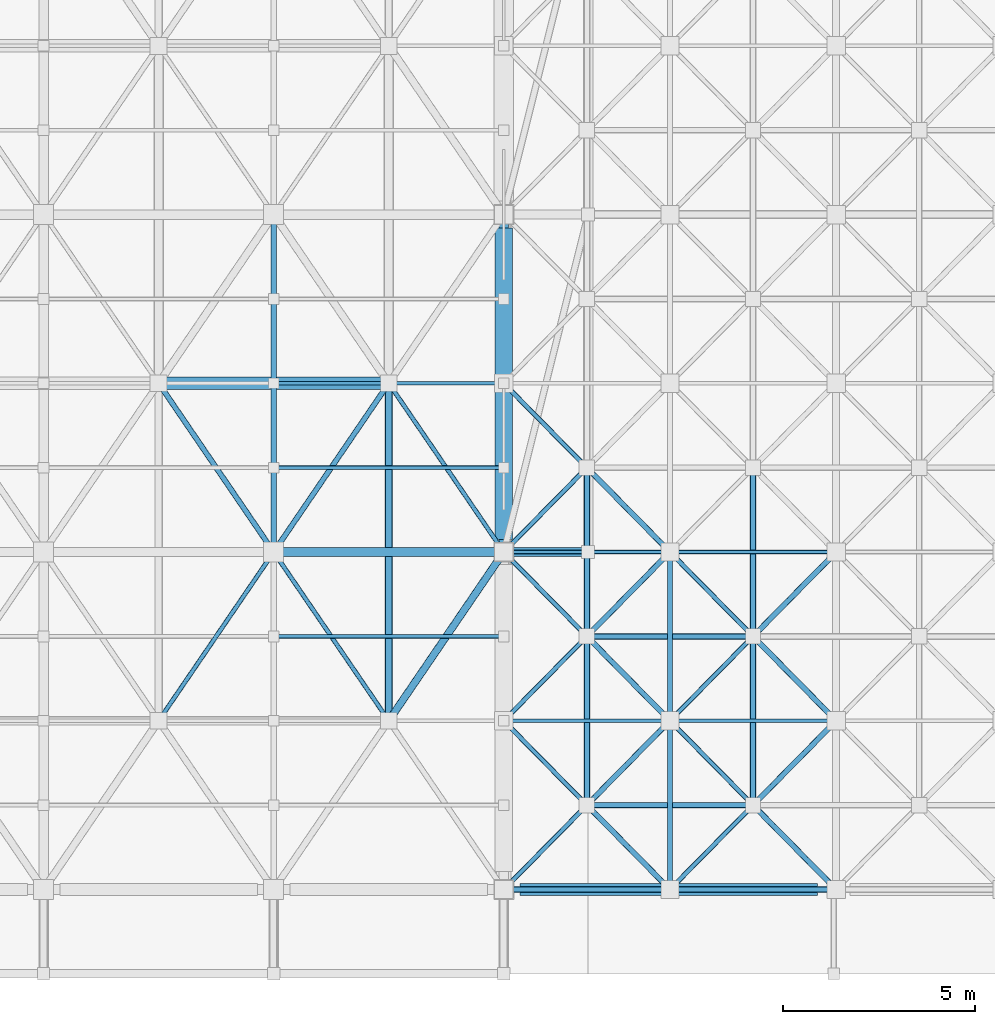
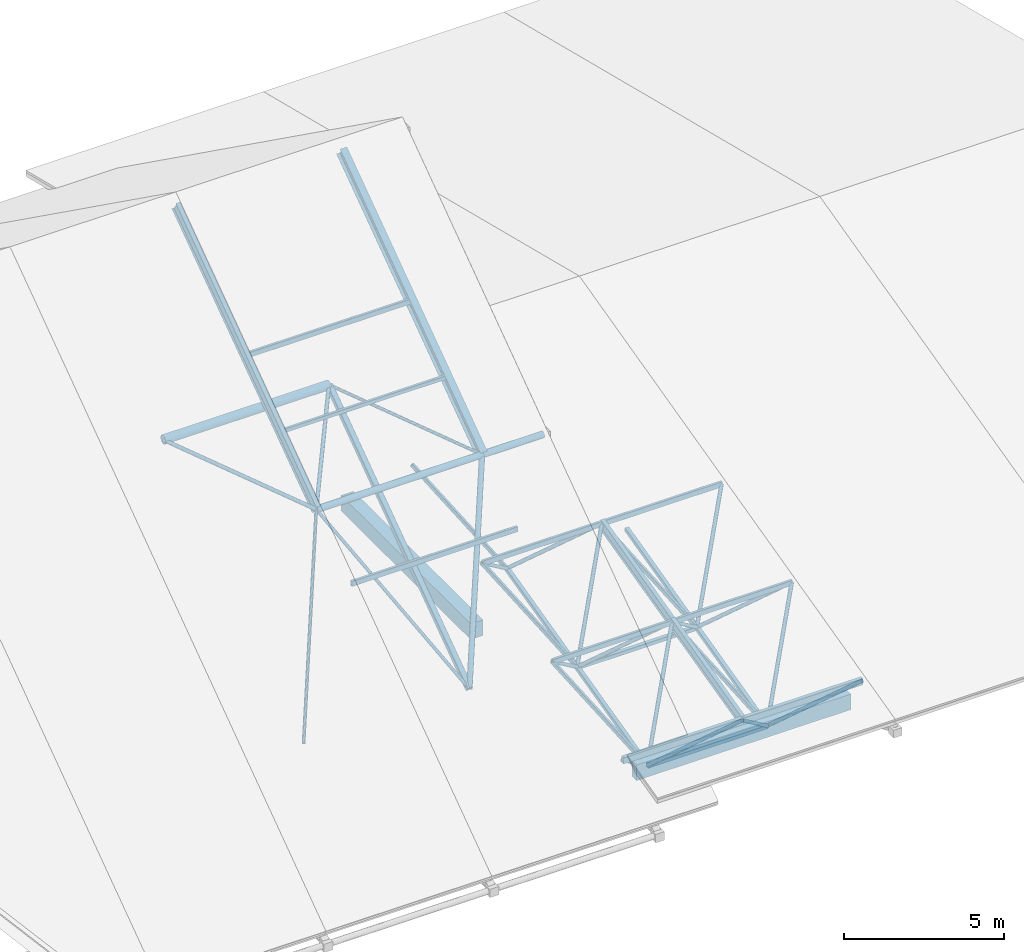
# One storey, part 25 of 55: 48 members, 2 beams.
"""IFC4 building model written with IfcOpenShell, lengths in metres."""

from ifc_helpers import new_model, si_unit, direction, frame, origin, origin_2d, place, context, subcontext, project, spatial, rectangle, hollow_rectangle, hollow_circle, i_section, extrude, material, material_profile, profile_set, type_object, element, save


model = new_model("IFC4")

# Units and contexts
model_context = context("Model", 3, precision=1e-05, world=origin(), true_north=direction((0.0, 1.0)))
body_context = subcontext(model_context, "Body", "Model", "MODEL_VIEW")
ifc_project = project(units=[si_unit("LENGTHUNIT", "METRE"), si_unit("AREAUNIT", "SQUARE_METRE"), si_unit("VOLUMEUNIT", "CUBIC_METRE"), si_unit("PLANEANGLEUNIT", "RADIAN"), si_unit("MASSUNIT", "GRAM", prefix="KILO")], contexts=[model_context])

# Site, building, storey
site_placement = place(None, origin())
site = spatial("IfcSite", under=ifc_project, at=site_placement, CompositionType="ELEMENT")
building_placement = place(site_placement, origin())
building = spatial("IfcBuilding", under=site, at=building_placement, Name="Varnakota Cinema and Media Centre", CompositionType="ELEMENT")
storey_placement = place(building_placement, frame((0.0, 0.0, 15.60009765625)))
storey = spatial("IfcBuildingStorey", under=building, at=storey_placement, Name="L04", CompositionType="ELEMENT", Elevation=15.60009765625)

# Beams
ifc_material_1 = material(Name="Concrete M35", Category="concrete")
ifc_material_profile_1 = material_profile(ifc_material_1, rectangle(XDim=0.449951171875, YDim=0.60009765625, at=origin_2d()), Name="RCB 450x600")
ifc_profile_set_1 = profile_set([ifc_material_profile_1], Name="Concrete M35")
beam_type_1 = type_object("IfcBeamType", Name="BM-RC-450x600", PredefinedType="BEAM", material=ifc_profile_set_1)
beam_1_placement = place(storey_placement, frame((135.0, 9.125, -0.300048828125), z_axis=(0.0, 1.0, 0.0), x_axis=(-1.0, 0.0, 0.0)))
element("IfcBeam", 1, at=beam_1_placement, inside=storey, type_object=beam_type_1, Name="L04 girder V/2-3", PredefinedType="BEAM", context=body_context, shape_type="SweptSolid", body=[
    extrude(rectangle(XDim=0.449951171875, YDim=0.60009765625, at=origin_2d()), origin(), (0.0, 0.0, 1.0), 8.125),
])
ifc_material_2 = material(Name="Concrete M35", Category="concrete")
ifc_material_profile_2 = material_profile(ifc_material_2, rectangle(XDim=0.300048828125, YDim=0.60009765625, at=origin_2d()), Name="RCB 300x600")
ifc_profile_set_2 = profile_set([ifc_material_profile_2], Name="Concrete M35")
beam_type_2 = type_object("IfcBeamType", Name="BM-SP-300x600", PredefinedType="SPANDREL", material=ifc_profile_set_2)
beam_2_placement = place(storey_placement, frame((135.425048828125, 0.0, -0.300048828125), z_axis=(1.0, 0.0, 0.0), x_axis=(0.0, 1.0, 0.0)))
element("IfcBeam", 2, at=beam_2_placement, inside=storey, type_object=beam_type_2, Name="L04 girder V-W/1", PredefinedType="SPANDREL", context=body_context, shape_type="SweptSolid", body=[
    extrude(rectangle(XDim=0.300048828125, YDim=0.60009765625, at=origin_2d()), origin(), (0.0, 0.0, 1.0), 7.75),
])

# Members
ifc_material_3 = material(Name="Structural steel S355 (YSt 355)", Category="steel")
ifc_material_profile_3 = material_profile(ifc_material_3, hollow_circle(Radius=0.05712890625, WallThickness=0.00537109375, at=origin_2d()), Name="CHS 114.3x5.4")
ifc_profile_set_3 = profile_set([ifc_material_profile_3], Name="Structural steel S355 (YSt 355)")
member_type_1 = type_object("IfcMemberType", Name="MEM-ST-CHS114_3x5_4", PredefinedType="BRACE", material=ifc_profile_set_3)
for number, where, z_axis, x_axis, name in (
    (3, (126.0, 4.39990234375, 1.349853515625), (0.40116493033, 0.588394819283, 0.702038628078), (-0.826236071711, 0.563324022037, 0.0), "V1 space-frame diagonal 9.1.4"),
    (4, (132.0, 4.39990234375, 1.349853515625), (-0.40116493033, 0.588394819283, 0.702038628078), (-0.826236071711, -0.563324022037, 0.0), "V1 space-frame diagonal 10.1.3"),
):
    element("IfcMember", number, at=place(storey_placement, frame(where, z_axis=z_axis, x_axis=x_axis)), inside=storey, type_object=member_type_1, Name=name, PredefinedType="BRACE", context=body_context, shape_type="SweptSolid", body=[
        extrude(hollow_circle(Radius=0.05712890625, WallThickness=0.00537109375, at=origin_2d()), origin(), (0.0, 0.0, 1.0), 7.478271484375),
    ])
member_1_placement = place(storey_placement, frame((132.0, 13.199951171875, 7.64990234375), z_axis=(0.552703271274, -0.810613472892, -0.193455140767), x_axis=(0.826221523208, 0.563345359959, 0.0)))
element("IfcMember", 5, at=member_1_placement, inside=storey, type_object=member_type_1, Name="V1 space-frame diagonal 10.2.2", PredefinedType="BRACE", context=body_context, shape_type="SweptSolid", body=[
    extrude(hollow_circle(Radius=0.05712890625, WallThickness=0.00537109375, at=origin_2d()), origin(), (0.0, 0.0, 1.0), 5.427978515625),
])
ifc_material_4 = material(Name="Structural steel S355 (YSt 355)", Category="steel")
ifc_material_profile_4 = material_profile(ifc_material_4, hollow_circle(Radius=0.06982421875, WallThickness=0.006103515625, at=origin_2d()), Name="CHS 139.7x6.0")
ifc_profile_set_4 = profile_set([ifc_material_profile_4], Name="Structural steel S355 (YSt 355)")
member_type_2 = type_object("IfcMemberType", Name="MEM-ST-CHS139_7x6_0", PredefinedType="CHORD", material=ifc_profile_set_4)
for number, where, z_axis, x_axis, name in (
    (6, (126.0, 13.199951171875, 7.64990234375), (0.552703271274, -0.810613472892, -0.193455140767), (0.826221523208, 0.563345359959, 0.0), "V1 space-frame diagonal 9.2.2"),
    (7, (132.0, 13.199951171875, 7.64990234375), (-0.552703271274, -0.810613472892, -0.193455140767), (0.826221523208, -0.563345359959, 0.0), "V1 space-frame diagonal 10.2.1"),
):
    element("IfcMember", number, at=place(storey_placement, frame(where, z_axis=z_axis, x_axis=x_axis)), inside=storey, type_object=member_type_2, Name=name, PredefinedType="CHORD", context=body_context, shape_type="SweptSolid", body=[
        extrude(hollow_circle(Radius=0.06982421875, WallThickness=0.006103515625, at=origin_2d()), origin(), (0.0, 0.0, 1.0), 5.427978515625),
    ])
member_2_placement = place(storey_placement, frame((137.166748046875, 2.199951171875, -2.050048828125), z_axis=(0.562704581049, -0.571391816523, 0.59739011247), x_axis=(0.712502351494, 0.701669722246, 0.0)))
element("IfcMember", 8, at=member_2_placement, inside=storey, type_object=member_type_2, Name="V2 space-truss diagonal 1.1.2", PredefinedType="CHORD", context=body_context, shape_type="SweptSolid", body=[
    extrude(hollow_circle(Radius=0.06982421875, WallThickness=0.006103515625, at=origin_2d()), origin(), (0.0, 0.0, 1.0), 3.85009765625),
])
member_3_placement = place(storey_placement, frame((137.166748046875, 2.199951171875, -2.050048828125), z_axis=(0.471728090545, 0.479010798276, 0.740284582931), x_axis=(-0.712502351494, 0.701669722246, 0.0)))
element("IfcMember", 9, at=member_3_placement, inside=storey, type_object=member_type_2, Name="V2 space-truss diagonal 1.1.4", PredefinedType="CHORD", context=body_context, shape_type="SweptSolid", body=[
    extrude(hollow_circle(Radius=0.06982421875, WallThickness=0.006103515625, at=origin_2d()), origin(), (0.0, 0.0, 1.0), 4.5927734375),
])
member_4_placement = place(storey_placement, frame((137.166748046875, 6.60009765625, -0.9501953125), z_axis=(0.562684192985, -0.571434521882, 0.597368467671), x_axis=(0.7125412777, 0.701630192889, 0.0)))
element("IfcMember", 10, at=member_4_placement, inside=storey, type_object=member_type_2, Name="V2 space-truss diagonal 1.2.2", PredefinedType="CHORD", context=body_context, shape_type="SweptSolid", body=[
    extrude(hollow_circle(Radius=0.06982421875, WallThickness=0.006103515625, at=origin_2d()), origin(), (0.0, 0.0, 1.0), 3.850341796875),
])
member_5_placement = place(storey_placement, frame((137.166748046875, 6.60009765625, -0.9501953125), z_axis=(0.471709527351, 0.478991948496, 0.740308608002), x_axis=(-0.712502351494, 0.701669722246, 0.0)))
element("IfcMember", 11, at=member_5_placement, inside=storey, type_object=member_type_2, Name="V2 space-truss diagonal 1.2.4", PredefinedType="CHORD", context=body_context, shape_type="SweptSolid", body=[
    extrude(hollow_circle(Radius=0.06982421875, WallThickness=0.006103515625, at=origin_2d()), origin(), (0.0, 0.0, 1.0), 4.5927734375),
])
member_6_placement = place(storey_placement, frame((137.166748046875, 11.0, 0.14990234375), z_axis=(0.562704581049, -0.571391816523, 0.59739011247), x_axis=(0.712502351494, 0.701669722246, 0.0)))
element("IfcMember", 12, at=member_6_placement, inside=storey, type_object=member_type_2, Name="V2 space-truss diagonal 1.3.2", PredefinedType="CHORD", context=body_context, shape_type="SweptSolid", body=[
    extrude(hollow_circle(Radius=0.06982421875, WallThickness=0.006103515625, at=origin_2d()), origin(), (0.0, 0.0, 1.0), 3.85009765625),
])
member_7_placement = place(storey_placement, frame((141.5, 2.199951171875, -2.050048828125), z_axis=(0.562747911139, -0.571371428425, 0.597368796714), x_axis=(0.712462822052, 0.701709859695, 0.0)))
element("IfcMember", 13, at=member_7_placement, inside=storey, type_object=member_type_2, Name="V2 space-truss diagonal 2.1.2", PredefinedType="CHORD", context=body_context, shape_type="SweptSolid", body=[
    extrude(hollow_circle(Radius=0.06982421875, WallThickness=0.006103515625, at=origin_2d()), origin(), (0.0, 0.0, 1.0), 3.850341796875),
])
member_8_placement = place(storey_placement, frame((141.5, 2.199951171875, -2.050048828125), z_axis=(0.47176941823, 0.478998786216, 0.74026601896), x_axis=(-0.712462822052, 0.701709859695, 0.0)))
element("IfcMember", 14, at=member_8_placement, inside=storey, type_object=member_type_2, Name="V2 space-truss diagonal 2.1.4", PredefinedType="CHORD", context=body_context, shape_type="SweptSolid", body=[
    extrude(hollow_circle(Radius=0.06982421875, WallThickness=0.006103515625, at=origin_2d()), origin(), (0.0, 0.0, 1.0), 4.5927734375),
])
member_9_placement = place(storey_placement, frame((141.5, 6.60009765625, -0.9501953125), z_axis=(0.56272752296, -0.571414133737, 0.597347154232), x_axis=(0.712501750553, 0.701670332463, 0.0)))
element("IfcMember", 15, at=member_9_placement, inside=storey, type_object=member_type_2, Name="V2 space-truss diagonal 2.2.2", PredefinedType="CHORD", context=body_context, shape_type="SweptSolid", body=[
    extrude(hollow_circle(Radius=0.06982421875, WallThickness=0.006103515625, at=origin_2d()), origin(), (0.0, 0.0, 1.0), 3.850341796875),
])
member_10_placement = place(storey_placement, frame((141.5, 6.60009765625, -0.9501953125), z_axis=(0.47175085434, 0.478979937854, 0.740290044889), x_axis=(-0.712462822052, 0.701709859695, 0.0)))
element("IfcMember", 16, at=member_10_placement, inside=storey, type_object=member_type_2, Name="V2 space-truss diagonal 2.2.4", PredefinedType="CHORD", context=body_context, shape_type="SweptSolid", body=[
    extrude(hollow_circle(Radius=0.06982421875, WallThickness=0.006103515625, at=origin_2d()), origin(), (0.0, 0.0, 1.0), 4.593017578125),
])
ifc_material_5 = material(Name="Structural steel S355 (YSt 355)", Category="steel")
ifc_material_profile_5 = material_profile(ifc_material_5, hollow_circle(Radius=0.096923828125, WallThickness=0.00634765625, at=origin_2d()), Name="CHS 193.7x6.3")
ifc_profile_set_5 = profile_set([ifc_material_profile_5], Name="Structural steel S355 (YSt 355)")
member_type_3 = type_object("IfcMemberType", Name="MEM-ST-CHS193_7x6_3", PredefinedType="CHORD", material=ifc_profile_set_5)
member_11_placement = place(storey_placement, frame((132.0, 4.39990234375, 1.349853515625), z_axis=(0.40116493033, 0.588394819283, 0.702038628078), x_axis=(-0.826236071711, 0.563324022037, 0.0)))
element("IfcMember", 17, at=member_11_placement, inside=storey, type_object=member_type_3, Name="V1 space-frame diagonal 10.1.4", PredefinedType="CHORD", context=body_context, shape_type="SweptSolid", body=[
    extrude(hollow_circle(Radius=0.096923828125, WallThickness=0.00634765625, at=origin_2d()), origin(), (0.0, 0.0, 1.0), 7.478271484375),
])
ifc_material_6 = material(Name="Structural steel S355 (YSt 355)", Category="steel")
ifc_material_profile_6 = material_profile(ifc_material_6, hollow_circle(Radius=0.122314453125, WallThickness=0.008056640625, at=origin_2d()), Name="CHS 244.5x8.0")
ifc_profile_set_6 = profile_set([ifc_material_profile_6], Name="Structural steel S355 (YSt 355)")
member_type_4 = type_object("IfcMemberType", Name="MEM-ST-CHS244_5x8_0", PredefinedType="CHORD", material=ifc_profile_set_6)
member_12_placement = place(storey_placement, frame((129.0, 8.800048828125, 6.599853515625), z_axis=(1.0, 0.0, 0.0), x_axis=(0.0, 1.0, 0.0)))
element("IfcMember", 18, at=member_12_placement, inside=storey, type_object=member_type_4, Name="V1 top longitudinal chord 10.2", PredefinedType="CHORD", context=body_context, shape_type="SweptSolid", body=[
    extrude(hollow_circle(Radius=0.122314453125, WallThickness=0.008056640625, at=origin_2d()), origin(), (0.0, 0.0, 1.0), 6.0),
])
member_13_placement = place(storey_placement, frame((135.0, 8.800048828125, 6.599853515625), z_axis=(1.0, 0.0, 0.0), x_axis=(0.0, 1.0, 0.0)))
element("IfcMember", 19, at=member_13_placement, inside=storey, type_object=member_type_4, Name="V1 E gable space-frame outrigger 2", PredefinedType="CHORD", context=body_context, shape_type="SweptSolid", body=[
    extrude(hollow_circle(Radius=0.122314453125, WallThickness=0.008056640625, at=origin_2d()), origin(), (0.0, 0.0, 1.0), 2.199951171875),
])
ifc_material_7 = material(Name="Structural steel S355 (YSt 355)", Category="steel")
ifc_material_profile_7 = material_profile(ifc_material_7, hollow_circle(Radius=0.161865234375, WallThickness=0.010009765625, at=origin_2d()), Name="CHS 323.9x10.0")
ifc_profile_set_7 = profile_set([ifc_material_profile_7], Name="Structural steel S355 (YSt 355)")
member_type_5 = type_object("IfcMemberType", Name="MEM-ST-CHS323_9x10_0", PredefinedType="CHORD", material=ifc_profile_set_7)
member_14_placement = place(storey_placement, frame((126.0, 13.199951171875, 7.64990234375), z_axis=(1.0, 0.0, 0.0), x_axis=(0.0, 1.0, 0.0)))
element("IfcMember", 20, at=member_14_placement, inside=storey, type_object=member_type_5, Name="V1 bottom longitudinal chord 9.2", PredefinedType="CHORD", context=body_context, shape_type="SweptSolid", body=[
    extrude(hollow_circle(Radius=0.161865234375, WallThickness=0.010009765625, at=origin_2d()), origin(), (0.0, 0.0, 1.0), 6.0),
])
ifc_material_8 = material(Name="Structural steel Grade 350 (E350)", Category="steel")
ifc_material_profile_8 = material_profile(ifc_material_8, i_section(OverallWidth=0.25, OverallDepth=0.39990234375, WebThickness=0.010498046875, FlangeThickness=0.0126953125, FilletRadius=0.011962890625, at=origin_2d()), Name="ISHB 400")
ifc_profile_set_8 = profile_set([ifc_material_profile_8], Name="Structural steel Grade 350 (E350)")
member_type_6 = type_object("IfcMemberType", Name="MEM-ST-ISHB400", PredefinedType="CHORD", material=ifc_profile_set_8)
member_15_placement = place(storey_placement, frame((135.0, 8.800048828125, 6.599853515625), z_axis=(0.0, 0.813108079498, 0.582112747717), x_axis=(-1.0, 0.0, 0.0)))
element("IfcMember", 21, at=member_15_placement, inside=storey, type_object=member_type_6, Name="V1 top transverse chord 11.2", PredefinedType="CHORD", context=body_context, shape_type="SweptSolid", body=[
    extrude(i_section(OverallWidth=0.25, OverallDepth=0.39990234375, WebThickness=0.010498046875, FlangeThickness=0.0126953125, FilletRadius=0.011962890625, at=origin_2d()), origin(), (0.0, 0.0, 1.0), 10.82275390625),
])
ifc_material_9 = material(Name="Structural steel Grade 350 (E350)", Category="steel")
ifc_material_profile_9 = material_profile(ifc_material_9, i_section(OverallWidth=0.139892578125, OverallDepth=0.39990234375, WebThickness=0.0087890625, FlangeThickness=0.01611328125, FilletRadius=0.013916015625, at=origin_2d()), Name="ISMB 400")
ifc_profile_set_9 = profile_set([ifc_material_profile_9], Name="Structural steel Grade 350 (E350)")
member_type_7 = type_object("IfcMemberType", Name="MEM-ST-ISMB400", PredefinedType="RAFTER", material=ifc_profile_set_9)
member_16_placement = place(storey_placement, frame((139.333251953125, 0.0, 0.25), z_axis=(0.0, 0.970148832916, 0.242510292547), x_axis=(-1.0, 0.0, 0.0)))
element("IfcMember", 22, at=member_16_placement, inside=storey, type_object=member_type_7, Name="V2 truss rafter 2.1", PredefinedType="RAFTER", context=body_context, shape_type="SweptSolid", body=[
    extrude(i_section(OverallWidth=0.139892578125, OverallDepth=0.39990234375, WebThickness=0.0087890625, FlangeThickness=0.01611328125, FilletRadius=0.013916015625, at=origin_2d()), origin(), (0.0, 0.0, 1.0), 4.535400390625),
])
member_17_placement = place(storey_placement, frame((139.333251953125, 4.39990234375, 1.349853515625), z_axis=(0.0, 0.970139333719, 0.242548290392), x_axis=(-1.0, 0.0, 0.0)))
element("IfcMember", 23, at=member_17_placement, inside=storey, type_object=member_type_7, Name="V2 truss rafter 2.2", PredefinedType="RAFTER", context=body_context, shape_type="SweptSolid", body=[
    extrude(i_section(OverallWidth=0.139892578125, OverallDepth=0.39990234375, WebThickness=0.0087890625, FlangeThickness=0.01611328125, FilletRadius=0.013916015625, at=origin_2d()), origin(), (0.0, 0.0, 1.0), 4.53564453125),
])
ifc_material_10 = material(Name="Structural steel Grade 350 (E350)", Category="steel")
ifc_material_profile_10 = material_profile(ifc_material_10, i_section(OverallWidth=0.14990234375, OverallDepth=0.449951171875, WebThickness=0.009521484375, FlangeThickness=0.017333984375, FilletRadius=0.014892578125, at=origin_2d()), Name="ISMB 450")
ifc_profile_set_10 = profile_set([ifc_material_profile_10], Name="Structural steel Grade 350 (E350)")
member_type_8 = type_object("IfcMemberType", Name="MEM-ST-ISMB450", PredefinedType="RAFTER", material=ifc_profile_set_10)
member_18_placement = place(storey_placement, frame((129.0, 8.800048828125, 6.599853515625), z_axis=(0.0, 0.813108079498, 0.582112747717), x_axis=(-1.0, 0.0, 0.0)))
element("IfcMember", 24, at=member_18_placement, inside=storey, type_object=member_type_8, Name="V1 top transverse chord 10.2", PredefinedType="RAFTER", context=body_context, shape_type="SweptSolid", body=[
    extrude(i_section(OverallWidth=0.14990234375, OverallDepth=0.449951171875, WebThickness=0.009521484375, FlangeThickness=0.017333984375, FilletRadius=0.014892578125, at=origin_2d()), origin(), (0.0, 0.0, 1.0), 10.82275390625),
])
ifc_material_11 = material(Name="Structural steel S355 (YSt 355)", Category="steel")
ifc_material_profile_11 = material_profile(ifc_material_11, hollow_rectangle(XDim=0.10009765625, YDim=0.14990234375, WallThickness=0.006103515625, InnerFilletRadius=0.006103515625, OuterFilletRadius=0.011962890625, at=origin_2d()), Name="RHS 150x100x6")
ifc_profile_set_11 = profile_set([ifc_material_profile_11], Name="Structural steel S355 (YSt 355)")
member_type_9 = type_object("IfcMemberType", Name="MEM-ST-RHS150x100x6", PredefinedType="PURLIN", material=ifc_profile_set_11)
member_19_placement = place(storey_placement, frame((129.0, 11.0, 8.2548828125), z_axis=(1.0, 0.0, 0.0), x_axis=(0.0, 1.0, 0.0)))
element("IfcMember", 25, at=member_19_placement, inside=storey, type_object=member_type_9, Name="V1 roof purlin 4.10", PredefinedType="PURLIN", context=body_context, shape_type="SweptSolid", body=[
    extrude(hollow_rectangle(XDim=0.10009765625, YDim=0.14990234375, WallThickness=0.006103515625, InnerFilletRadius=0.006103515625, OuterFilletRadius=0.011962890625, at=origin_2d()), origin(), (0.0, 0.0, 1.0), 6.0),
])
ifc_material_12 = material(Name="Structural steel S355 (YSt 355)", Category="steel")
ifc_material_profile_12 = material_profile(ifc_material_12, hollow_rectangle(XDim=0.10009765625, YDim=0.199951171875, WallThickness=0.006103515625, InnerFilletRadius=0.006103515625, OuterFilletRadius=0.011962890625, at=origin_2d()), Name="RHS 200x100x6")
ifc_profile_set_12 = profile_set([ifc_material_profile_12], Name="Structural steel S355 (YSt 355)")
member_type_10 = type_object("IfcMemberType", Name="MEM-ST-RHS200x100x6", PredefinedType="PURLIN", material=ifc_profile_set_12)
for number, where, z_axis, x_axis, name in (
    (26, (129.0, 6.60009765625, 5.10498046875), (1.0, 0.0, 0.0), (0.0, 1.0, 0.0), "V1 roof purlin 3.10"),
    (27, (129.0, 13.199951171875, 9.829833984375), (1.0, 0.0, 0.0), (0.0, 1.0, 0.0), "V1 roof purlin 5.10"),
):
    element("IfcMember", number, at=place(storey_placement, frame(where, z_axis=z_axis, x_axis=x_axis)), inside=storey, type_object=member_type_10, Name=name, PredefinedType="PURLIN", context=body_context, shape_type="SweptSolid", body=[
        extrude(hollow_rectangle(XDim=0.10009765625, YDim=0.199951171875, WallThickness=0.006103515625, InnerFilletRadius=0.006103515625, OuterFilletRadius=0.011962890625, at=origin_2d()), origin(), (0.0, 0.0, 1.0), 6.0),
    ])
for number, where, z_axis, x_axis, name in (
    (28, (135.0, 4.39990234375, 1.349853515625), (1.0, 0.0, 0.0), (0.0, 1.0, 0.0), "V2 top chord 1.2"),
    (29, (135.0, 8.800048828125, 2.449951171875), (1.0, 0.0, 0.0), (0.0, 1.0, 0.0), "V2 top chord 1.3"),
):
    element("IfcMember", number, at=place(storey_placement, frame(where, z_axis=z_axis, x_axis=x_axis)), inside=storey, type_object=member_type_10, Name=name, PredefinedType="PURLIN", context=body_context, shape_type="SweptSolid", body=[
        extrude(hollow_rectangle(XDim=0.10009765625, YDim=0.199951171875, WallThickness=0.006103515625, InnerFilletRadius=0.006103515625, OuterFilletRadius=0.011962890625, at=origin_2d()), origin(), (0.0, 0.0, 1.0), 4.333251953125),
    ])
for number, where, z_axis, x_axis, name in (
    (30, (139.333251953125, 4.39990234375, 1.349853515625), (1.0, 0.0, 0.0), (0.0, 1.0, 0.0), "V2 top chord 2.2"),
    (31, (139.333251953125, 8.800048828125, 2.449951171875), (1.0, 0.0, 0.0), (0.0, 1.0, 0.0), "V2 top chord 2.3"),
):
    element("IfcMember", number, at=place(storey_placement, frame(where, z_axis=z_axis, x_axis=x_axis)), inside=storey, type_object=member_type_10, Name=name, PredefinedType="PURLIN", context=body_context, shape_type="SweptSolid", body=[
        extrude(hollow_rectangle(XDim=0.10009765625, YDim=0.199951171875, WallThickness=0.006103515625, InnerFilletRadius=0.006103515625, OuterFilletRadius=0.011962890625, at=origin_2d()), origin(), (0.0, 0.0, 1.0), 4.33349609375),
    ])
ifc_material_13 = material(Name="Structural steel S355 (YSt 355)", Category="steel")
ifc_material_profile_13 = material_profile(ifc_material_13, hollow_rectangle(XDim=0.14990234375, YDim=0.25, WallThickness=0.008056640625, InnerFilletRadius=0.008056640625, OuterFilletRadius=0.01611328125, at=origin_2d()), Name="RHS 250x150x8")
ifc_profile_set_13 = profile_set([ifc_material_profile_13], Name="Structural steel S355 (YSt 355)")
member_type_11 = type_object("IfcMemberType", Name="MEM-ST-RHS250x150x8", PredefinedType="PURLIN", material=ifc_profile_set_13)
member_20_placement = place(storey_placement, frame((135.0, 0.0, 0.25), z_axis=(1.0, 0.0, 0.0), x_axis=(0.0, 1.0, 0.0)))
element("IfcMember", 32, at=member_20_placement, inside=storey, type_object=member_type_11, Name="V2 top chord 1.1", PredefinedType="PURLIN", context=body_context, shape_type="SweptSolid", body=[
    extrude(hollow_rectangle(XDim=0.14990234375, YDim=0.25, WallThickness=0.008056640625, InnerFilletRadius=0.008056640625, OuterFilletRadius=0.01611328125, at=origin_2d()), origin(), (0.0, 0.0, 1.0), 4.333251953125),
])
member_21_placement = place(storey_placement, frame((139.333251953125, 0.0, 0.25), z_axis=(1.0, 0.0, 0.0), x_axis=(0.0, 1.0, 0.0)))
element("IfcMember", 33, at=member_21_placement, inside=storey, type_object=member_type_11, Name="V2 top chord 2.1", PredefinedType="PURLIN", context=body_context, shape_type="SweptSolid", body=[
    extrude(hollow_rectangle(XDim=0.14990234375, YDim=0.25, WallThickness=0.008056640625, InnerFilletRadius=0.008056640625, OuterFilletRadius=0.01611328125, at=origin_2d()), origin(), (0.0, 0.0, 1.0), 4.33349609375),
])
ifc_material_14 = material(Name="Structural steel S355 (YSt 355)", Category="steel")
ifc_material_profile_14 = material_profile(ifc_material_14, hollow_rectangle(XDim=0.1201171875, YDim=0.1201171875, WallThickness=0.006103515625, InnerFilletRadius=0.006103515625, OuterFilletRadius=0.011962890625, at=origin_2d()), Name="SHS 120x120x6")
ifc_profile_set_14 = profile_set([ifc_material_profile_14], Name="Structural steel S355 (YSt 355)")
member_type_12 = type_object("IfcMemberType", Name="MEM-ST-SHS120x120x6", PredefinedType="STRUT", material=ifc_profile_set_14)
member_22_placement = place(storey_placement, frame((137.166748046875, 2.199951171875, -2.050048828125), z_axis=(-0.562747911139, -0.571371428425, 0.597368796714), x_axis=(0.712462822052, -0.701709859695, 0.0)))
element("IfcMember", 34, at=member_22_placement, inside=storey, type_object=member_type_12, Name="V2 space-truss diagonal 1.1.1", PredefinedType="STRUT", context=body_context, shape_type="SweptSolid", body=[
    extrude(hollow_rectangle(XDim=0.1201171875, YDim=0.1201171875, WallThickness=0.006103515625, InnerFilletRadius=0.006103515625, OuterFilletRadius=0.011962890625, at=origin_2d()), origin(), (0.0, 0.0, 1.0), 3.850341796875),
])
member_23_placement = place(storey_placement, frame((137.166748046875, 2.199951171875, -2.050048828125), z_axis=(-0.47176941823, 0.478998786216, 0.74026601896), x_axis=(-0.712462822052, -0.701709859695, 0.0)))
element("IfcMember", 35, at=member_23_placement, inside=storey, type_object=member_type_12, Name="V2 space-truss diagonal 1.1.3", PredefinedType="STRUT", context=body_context, shape_type="SweptSolid", body=[
    extrude(hollow_rectangle(XDim=0.1201171875, YDim=0.1201171875, WallThickness=0.006103515625, InnerFilletRadius=0.006103515625, OuterFilletRadius=0.011962890625, at=origin_2d()), origin(), (0.0, 0.0, 1.0), 4.5927734375),
])
member_24_placement = place(storey_placement, frame((137.166748046875, 6.60009765625, -0.9501953125), z_axis=(-0.56272752296, -0.571414133737, 0.597347154232), x_axis=(0.712501750553, -0.701670332463, 0.0)))
element("IfcMember", 36, at=member_24_placement, inside=storey, type_object=member_type_12, Name="V2 space-truss diagonal 1.2.1", PredefinedType="STRUT", context=body_context, shape_type="SweptSolid", body=[
    extrude(hollow_rectangle(XDim=0.1201171875, YDim=0.1201171875, WallThickness=0.006103515625, InnerFilletRadius=0.006103515625, OuterFilletRadius=0.011962890625, at=origin_2d()), origin(), (0.0, 0.0, 1.0), 3.850341796875),
])
member_25_placement = place(storey_placement, frame((137.166748046875, 6.60009765625, -0.9501953125), z_axis=(-0.47175085434, 0.478979937854, 0.740290044889), x_axis=(-0.712462822052, -0.701709859695, 0.0)))
element("IfcMember", 37, at=member_25_placement, inside=storey, type_object=member_type_12, Name="V2 space-truss diagonal 1.2.3", PredefinedType="STRUT", context=body_context, shape_type="SweptSolid", body=[
    extrude(hollow_rectangle(XDim=0.1201171875, YDim=0.1201171875, WallThickness=0.006103515625, InnerFilletRadius=0.006103515625, OuterFilletRadius=0.011962890625, at=origin_2d()), origin(), (0.0, 0.0, 1.0), 4.593017578125),
])
member_26_placement = place(storey_placement, frame((137.166748046875, 11.0, 0.14990234375), z_axis=(-0.562747911139, -0.571371428425, 0.597368796714), x_axis=(0.712462822052, -0.701709859695, 0.0)))
element("IfcMember", 38, at=member_26_placement, inside=storey, type_object=member_type_12, Name="V2 space-truss diagonal 1.3.1", PredefinedType="STRUT", context=body_context, shape_type="SweptSolid", body=[
    extrude(hollow_rectangle(XDim=0.1201171875, YDim=0.1201171875, WallThickness=0.006103515625, InnerFilletRadius=0.006103515625, OuterFilletRadius=0.011962890625, at=origin_2d()), origin(), (0.0, 0.0, 1.0), 3.850341796875),
])
member_27_placement = place(storey_placement, frame((137.166748046875, 11.0, 0.14990234375), z_axis=(-0.47176941823, 0.478998786216, 0.74026601896), x_axis=(-0.712462822052, -0.701709859695, 0.0)))
element("IfcMember", 39, at=member_27_placement, inside=storey, type_object=member_type_12, Name="V2 space-truss diagonal 1.3.3", PredefinedType="STRUT", context=body_context, shape_type="SweptSolid", body=[
    extrude(hollow_rectangle(XDim=0.1201171875, YDim=0.1201171875, WallThickness=0.006103515625, InnerFilletRadius=0.006103515625, OuterFilletRadius=0.011962890625, at=origin_2d()), origin(), (0.0, 0.0, 1.0), 4.5927734375),
])
member_28_placement = place(storey_placement, frame((141.5, 2.199951171875, -2.050048828125), z_axis=(-0.562747911139, -0.571371428425, 0.597368796714), x_axis=(0.712462822052, -0.701709859695, 0.0)))
element("IfcMember", 40, at=member_28_placement, inside=storey, type_object=member_type_12, Name="V2 space-truss diagonal 2.1.1", PredefinedType="STRUT", context=body_context, shape_type="SweptSolid", body=[
    extrude(hollow_rectangle(XDim=0.1201171875, YDim=0.1201171875, WallThickness=0.006103515625, InnerFilletRadius=0.006103515625, OuterFilletRadius=0.011962890625, at=origin_2d()), origin(), (0.0, 0.0, 1.0), 3.850341796875),
])
member_29_placement = place(storey_placement, frame((141.5, 2.199951171875, -2.050048828125), z_axis=(-0.47176941823, 0.478998786216, 0.74026601896), x_axis=(-0.712462822052, -0.701709859695, 0.0)))
element("IfcMember", 41, at=member_29_placement, inside=storey, type_object=member_type_12, Name="V2 space-truss diagonal 2.1.3", PredefinedType="STRUT", context=body_context, shape_type="SweptSolid", body=[
    extrude(hollow_rectangle(XDim=0.1201171875, YDim=0.1201171875, WallThickness=0.006103515625, InnerFilletRadius=0.006103515625, OuterFilletRadius=0.011962890625, at=origin_2d()), origin(), (0.0, 0.0, 1.0), 4.5927734375),
])
member_30_placement = place(storey_placement, frame((141.5, 6.60009765625, -0.9501953125), z_axis=(-0.56272752296, -0.571414133737, 0.597347154232), x_axis=(0.712501750553, -0.701670332463, 0.0)))
element("IfcMember", 42, at=member_30_placement, inside=storey, type_object=member_type_12, Name="V2 space-truss diagonal 2.2.1", PredefinedType="STRUT", context=body_context, shape_type="SweptSolid", body=[
    extrude(hollow_rectangle(XDim=0.1201171875, YDim=0.1201171875, WallThickness=0.006103515625, InnerFilletRadius=0.006103515625, OuterFilletRadius=0.011962890625, at=origin_2d()), origin(), (0.0, 0.0, 1.0), 3.850341796875),
])
member_31_placement = place(storey_placement, frame((141.5, 6.60009765625, -0.9501953125), z_axis=(-0.47175085434, 0.478979937854, 0.740290044889), x_axis=(-0.712462822052, -0.701709859695, 0.0)))
element("IfcMember", 43, at=member_31_placement, inside=storey, type_object=member_type_12, Name="V2 space-truss diagonal 2.2.3", PredefinedType="STRUT", context=body_context, shape_type="SweptSolid", body=[
    extrude(hollow_rectangle(XDim=0.1201171875, YDim=0.1201171875, WallThickness=0.006103515625, InnerFilletRadius=0.006103515625, OuterFilletRadius=0.011962890625, at=origin_2d()), origin(), (0.0, 0.0, 1.0), 4.593017578125),
])
ifc_material_15 = material(Name="Structural steel S355 (YSt 355)", Category="steel")
ifc_material_profile_15 = material_profile(ifc_material_15, hollow_rectangle(XDim=0.14990234375, YDim=0.14990234375, WallThickness=0.008056640625, InnerFilletRadius=0.008056640625, OuterFilletRadius=0.01611328125, at=origin_2d()), Name="SHS 150x150x8")
ifc_profile_set_15 = profile_set([ifc_material_profile_15], Name="Structural steel S355 (YSt 355)")
member_type_13 = type_object("IfcMemberType", Name="MEM-ST-SHS150x150x8", PredefinedType="STRUT", material=ifc_profile_set_15)
for number, where, z_axis, x_axis, name in (
    (44, (137.166748046875, 2.199951171875, -2.050048828125), (1.0, 0.0, 0.0), (0.0, 1.0, 0.0), "V2 bottom longitudinal chord 1.1"),
    (45, (137.166748046875, 6.60009765625, -0.9501953125), (1.0, 0.0, 0.0), (0.0, 1.0, 0.0), "V2 bottom longitudinal chord 1.2"),
):
    element("IfcMember", number, at=place(storey_placement, frame(where, z_axis=z_axis, x_axis=x_axis)), inside=storey, type_object=member_type_13, Name=name, PredefinedType="STRUT", context=body_context, shape_type="SweptSolid", body=[
        extrude(hollow_rectangle(XDim=0.14990234375, YDim=0.14990234375, WallThickness=0.008056640625, InnerFilletRadius=0.008056640625, OuterFilletRadius=0.01611328125, at=origin_2d()), origin(), (0.0, 0.0, 1.0), 4.333251953125),
    ])
member_32_placement = place(storey_placement, frame((137.166748046875, 2.199951171875, -2.050048828125), z_axis=(0.0, 0.970151998558, 0.242497628225), x_axis=(-1.0, 0.0, 0.0)))
element("IfcMember", 46, at=member_32_placement, inside=storey, type_object=member_type_13, Name="V2 bottom transverse chord 1.1", PredefinedType="STRUT", context=body_context, shape_type="SweptSolid", body=[
    extrude(hollow_rectangle(XDim=0.14990234375, YDim=0.14990234375, WallThickness=0.008056640625, InnerFilletRadius=0.008056640625, OuterFilletRadius=0.01611328125, at=origin_2d()), origin(), (0.0, 0.0, 1.0), 4.53564453125),
])
member_33_placement = place(storey_placement, frame((137.166748046875, 6.60009765625, -0.9501953125), z_axis=(0.0, 0.970136166796, 0.242560957029), x_axis=(-1.0, 0.0, 0.0)))
element("IfcMember", 47, at=member_33_placement, inside=storey, type_object=member_type_13, Name="V2 bottom transverse chord 1.2", PredefinedType="STRUT", context=body_context, shape_type="SweptSolid", body=[
    extrude(hollow_rectangle(XDim=0.14990234375, YDim=0.14990234375, WallThickness=0.008056640625, InnerFilletRadius=0.008056640625, OuterFilletRadius=0.01611328125, at=origin_2d()), origin(), (0.0, 0.0, 1.0), 4.535400390625),
])
member_34_placement = place(storey_placement, frame((141.5, 2.199951171875, -2.050048828125), z_axis=(0.0, 0.970151998558, 0.242497628225), x_axis=(-1.0, 0.0, 0.0)))
element("IfcMember", 48, at=member_34_placement, inside=storey, type_object=member_type_13, Name="V2 bottom transverse chord 2.1", PredefinedType="STRUT", context=body_context, shape_type="SweptSolid", body=[
    extrude(hollow_rectangle(XDim=0.14990234375, YDim=0.14990234375, WallThickness=0.008056640625, InnerFilletRadius=0.008056640625, OuterFilletRadius=0.01611328125, at=origin_2d()), origin(), (0.0, 0.0, 1.0), 4.53564453125),
])
member_35_placement = place(storey_placement, frame((141.5, 6.60009765625, -0.9501953125), z_axis=(0.0, 0.970136166796, 0.242560957029), x_axis=(-1.0, 0.0, 0.0)))
element("IfcMember", 49, at=member_35_placement, inside=storey, type_object=member_type_13, Name="V2 bottom transverse chord 2.2", PredefinedType="STRUT", context=body_context, shape_type="SweptSolid", body=[
    extrude(hollow_rectangle(XDim=0.14990234375, YDim=0.14990234375, WallThickness=0.008056640625, InnerFilletRadius=0.008056640625, OuterFilletRadius=0.01611328125, at=origin_2d()), origin(), (0.0, 0.0, 1.0), 4.535400390625),
])
ifc_material_16 = material(Name="Structural steel S355 (YSt 355)", Category="steel")
ifc_material_profile_16 = material_profile(ifc_material_16, hollow_rectangle(XDim=0.199951171875, YDim=0.199951171875, WallThickness=0.010009765625, InnerFilletRadius=0.010009765625, OuterFilletRadius=0.02001953125, at=origin_2d()), Name="SHS 200x200x10")
ifc_profile_set_16 = profile_set([ifc_material_profile_16], Name="Structural steel S355 (YSt 355)")
member_type_14 = type_object("IfcMemberType", Name="MEM-ST-SHS200x200x10", PredefinedType="STRUT", material=ifc_profile_set_16)
member_36_placement = place(storey_placement, frame((132.0, 4.39990234375, 1.349853515625), z_axis=(0.0, 0.813108079498, 0.582112747717), x_axis=(-1.0, 0.0, 0.0)))
element("IfcMember", 50, at=member_36_placement, inside=storey, type_object=member_type_14, Name="V1 bottom transverse chord 10.1", PredefinedType="STRUT", context=body_context, shape_type="SweptSolid", body=[
    extrude(hollow_rectangle(XDim=0.199951171875, YDim=0.199951171875, WallThickness=0.010009765625, InnerFilletRadius=0.010009765625, OuterFilletRadius=0.02001953125, at=origin_2d()), origin(), (0.0, 0.0, 1.0), 10.82275390625),
])

save(model, "model.ifc")
